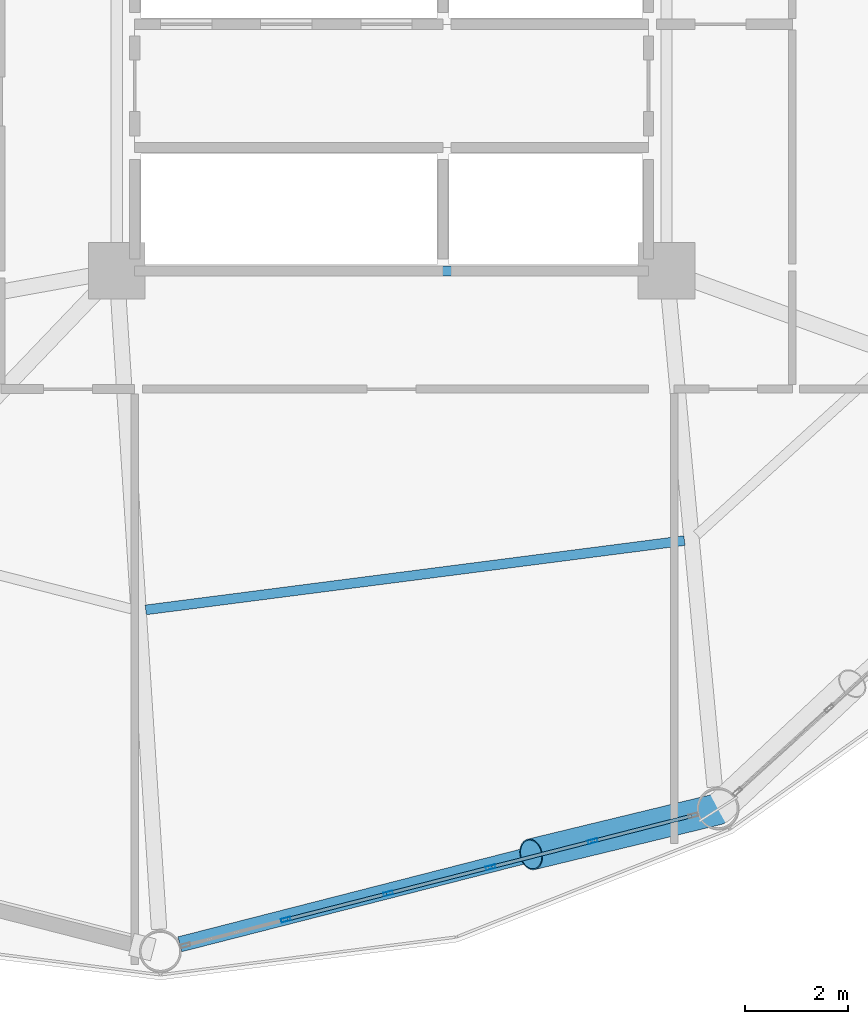
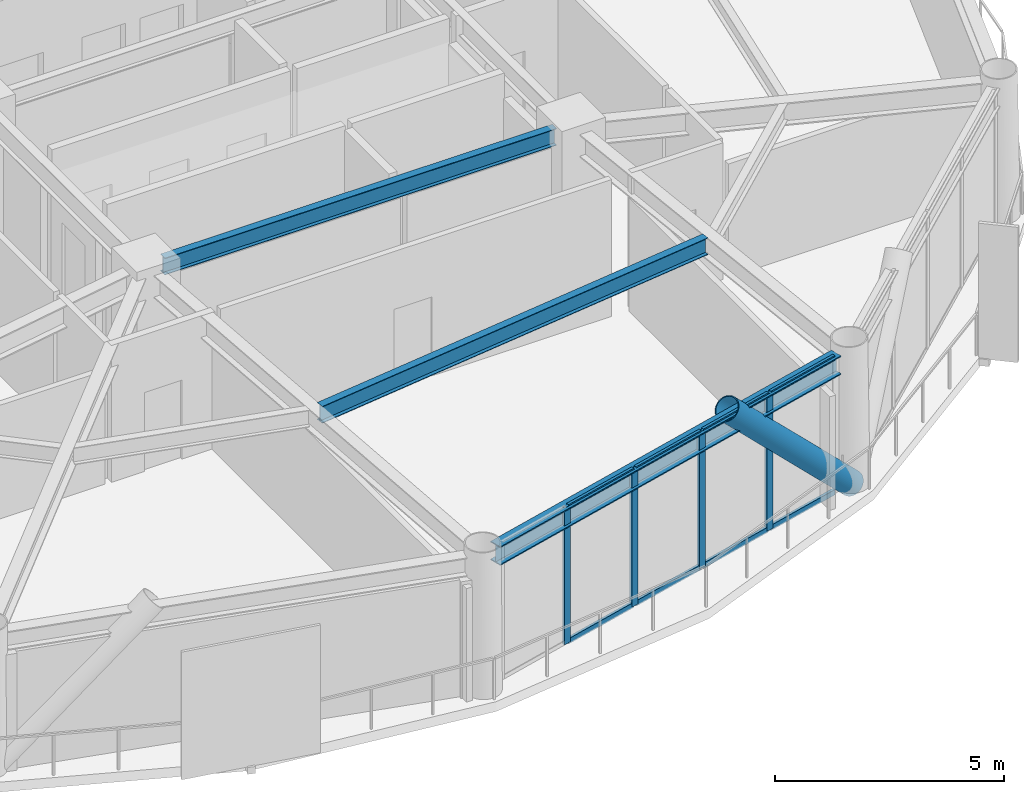
# One storey, part 7 of 26: 13 members, 3 beams, 1 element without a shape of its own.
"""IFC4 building model written with IfcOpenShell, lengths in metres."""

import ifcopenshell
import ifcopenshell.guid

model = None  # the IFC model being written
_history = None  # IfcOwnerHistory: only IFC2X3 demands one
_inside = {}  # id of a spatial element -> (the spatial element, [elements in it])
_under = {}  # id of a project, library or spatial element -> (it, [spatial elements below it])
_declared = {}  # id of a project -> (the project, [libraries it declares])
_typed = {}  # id of a type object -> (the type object, [elements of that type])
_made_of = {}  # id of a material, layer set ... -> (it, [elements and type objects made of it])


def new_model(schema):
    """Start an empty IFC model of exactly this schema.

    Asked for "IFC4X3", IfcOpenShell would pick the latest addendum, in which some entities
    have other attributes; the version numbers below select the first issue.
    IFC2X3 requires an IfcOwnerHistory on every rooted entity: one is made here for all.
    """
    global model, _history
    if schema == "IFC4X3":
        model = ifcopenshell.file(schema_version=(4, 3, 0, 0))
    else:
        model = ifcopenshell.file(schema=schema)
    _inside.clear()
    _under.clear()
    _declared.clear()
    _typed.clear()
    _made_of.clear()
    _history = None
    if model.schema == "IFC2X3":
        org = make("IfcOrganization", Name="unknown")
        user = make(
            "IfcPersonAndOrganization",
            ThePerson=make("IfcPerson", FamilyName="unknown"),
            TheOrganization=org,
        )
        app = make(
            "IfcApplication",
            ApplicationDeveloper=org,
            Version="unknown",
            ApplicationFullName="unknown",
            ApplicationIdentifier="unknown",
        )
        _history = make(
            "IfcOwnerHistory",
            OwningUser=user,
            OwningApplication=app,
            ChangeAction="ADDED",
            CreationDate=0,
        )
    return model


def make(cls, **values):
    """One entity of the class cls with the attributes given. An attribute that is None is left unset."""
    return model.create_entity(
        cls, **{name: value for name, value in values.items() if value is not None}
    )


def rooted(cls, **values):
    """An entity with a GlobalId (a new one), such as an element, a storey or a relation."""
    return make(cls, GlobalId=ifcopenshell.guid.new(), OwnerHistory=_history, **values)


def si_unit(unit_type, name, prefix=None):
    """IfcSIUnit, for example si_unit("LENGTHUNIT", "METRE", prefix="MILLI")."""
    return make("IfcSIUnit", UnitType=unit_type, Prefix=prefix, Name=name)


def assignment(units):
    """IfcUnitAssignment: the units of a project."""
    return None if units is None else make("IfcUnitAssignment", Units=units)


def point(xyz):
    """IfcCartesianPoint."""
    return None if xyz is None else make("IfcCartesianPoint", Coordinates=xyz)


def direction(xyz):
    """IfcDirection."""
    return None if xyz is None else make("IfcDirection", DirectionRatios=xyz)


def frame(location, z_axis=None, x_axis=None):
    """IfcAxis2Placement3D, a coordinate frame: its origin and axes. An axis left out is left unset."""
    return make(
        "IfcAxis2Placement3D",
        Location=point(location),
        Axis=direction(z_axis),
        RefDirection=direction(x_axis),
    )


def frame_2d(location, x_axis=None):
    """IfcAxis2Placement2D, a coordinate frame in the plane: its origin and x axis."""
    return make(
        "IfcAxis2Placement2D", Location=point(location), RefDirection=direction(x_axis)
    )


def origin():
    """The frame at (0, 0, 0) with its axes left unset."""
    return frame((0.0, 0.0, 0.0))


def origin_2d():
    """The frame at (0, 0) in the plane with its x axis left unset."""
    return frame_2d((0.0, 0.0))


def place(relative_to, where):
    """IfcLocalPlacement: puts the frame where relative to a parent placement (None: the world)."""
    return make(
        "IfcLocalPlacement", PlacementRelTo=relative_to, RelativePlacement=where
    )


def context(
    kind, dimensions, precision=None, world=None, true_north=None, identifier=None
):
    """IfcGeometricRepresentationContext, for example the 3D "Model" context."""
    return make(
        "IfcGeometricRepresentationContext",
        ContextIdentifier=identifier,
        ContextType=kind,
        CoordinateSpaceDimension=dimensions,
        Precision=precision,
        WorldCoordinateSystem=world,
        TrueNorth=true_north,
    )


def subcontext(parent, identifier, kind, view, scale=None):
    """IfcGeometricRepresentationSubContext, for example "Body" below "Model"."""
    return make(
        "IfcGeometricRepresentationSubContext",
        ContextIdentifier=identifier,
        ContextType=kind,
        ParentContext=parent,
        TargetScale=scale,
        TargetView=view,
    )


def project(units=None, contexts=None):
    """IfcProject with its units and contexts."""
    return rooted(
        "IfcProject",
        Name="project",
        RepresentationContexts=contexts,
        UnitsInContext=assignment(units),
    )


def spatial(cls, under=None, at=None, **own):
    """A site, building, storey or space (cls), placed at a placement, below another one or the project."""
    s = rooted(cls, ObjectPlacement=at, **own)
    if under is not None:
        _under.setdefault(under.id(), (under, []))[1].append(s)
    return s


def profile(cls, at=None, kind="AREA", **sizes):
    """A parametric profile (cls). Its sizes go by their IFC names, for example OverallWidth=200.0."""
    return make(cls, ProfileType=kind, Position=at, **sizes)


def hollow_rectangle(**sizes):
    """IfcRectangleHollowProfileDef."""
    return profile("IfcRectangleHollowProfileDef", **sizes)


def hollow_circle(**sizes):
    """IfcCircleHollowProfileDef."""
    return profile("IfcCircleHollowProfileDef", **sizes)


def i_section(**sizes):
    """IfcIShapeProfileDef."""
    return profile("IfcIShapeProfileDef", **sizes)


def extrude(swept, where, along, depth):
    """IfcExtrudedAreaSolid: the profile swept, set in the frame where, extruded along a direction by depth."""
    return make(
        "IfcExtrudedAreaSolid",
        SweptArea=swept,
        Position=where,
        ExtrudedDirection=direction(along),
        Depth=depth,
    )


def shape(context_of_items, identifier, shape_type, items):
    """IfcShapeRepresentation: the items that make up one representation, for example the "Body"."""
    return make(
        "IfcShapeRepresentation",
        ContextOfItems=context_of_items,
        RepresentationIdentifier=identifier,
        RepresentationType=shape_type,
        Items=items,
    )


def material(Name=None, Category=None):
    """IfcMaterial."""
    return make("IfcMaterial", Name=Name, Category=Category)


def layer(
    of_material, thickness, ventilated=None, Name=None, Category=None, Priority=None
):
    """IfcMaterialLayer: one layer of a wall or slab, of a material (None: an air gap)."""
    return make(
        "IfcMaterialLayer",
        Material=of_material,
        LayerThickness=thickness,
        IsVentilated=ventilated,
        Name=Name,
        Category=Category,
        Priority=Priority,
    )


def layer_set(layers, Name=None):
    """IfcMaterialLayerSet."""
    return make("IfcMaterialLayerSet", MaterialLayers=layers, LayerSetName=Name)


def material_profile(
    of_material, cross_section, Name=None, Category=None, Priority=None
):
    """IfcMaterialProfile: a cross section and its material."""
    return make(
        "IfcMaterialProfile",
        Name=Name,
        Material=of_material,
        Profile=cross_section,
        Priority=Priority,
        Category=Category,
    )


def profile_set(profiles, Name=None, composite=None):
    """IfcMaterialProfileSet."""
    return make(
        "IfcMaterialProfileSet",
        Name=Name,
        MaterialProfiles=profiles,
        CompositeProfile=composite,
    )


def made_of(thing, what):
    """Note that an element or type object is made of a material, layer set ...; save() writes the relation."""
    if what is not None:
        _made_of.setdefault(what.id(), (what, []))[1].append(thing)
    return thing


def type_object(cls, material=None, **own):
    """A type object (cls), such as IfcWallType, which elements share."""
    return made_of(rooted(cls, **own), material)


def element(
    cls,
    number,
    at=None,
    inside=None,
    cuts=None,
    type_object=None,
    material=None,
    context=None,
    identifier="Body",
    shape_type=None,
    held_by="IfcProductDefinitionShape",
    body=None,
    shapes=None,
    **own,
):
    """One element of the class cls, such as IfcWall. Its Tag is "e" and its number.

    at: its placement. inside: the storey or other place that contains it. cuts: it is an
    opening in that element (IfcRelVoidsElement). A single representation is given by context,
    identifier, shape_type and body (its items); several are given by shapes. held_by: the class
    of the entity that holds the representations. save() writes the other relations.
    """
    e = rooted(cls, Tag="e%d" % number, ObjectPlacement=at, **own)
    if body is not None:
        shapes = [shape(context, identifier, shape_type, body)]
    if shapes is not None:
        e.Representation = make(held_by, Representations=shapes)
    if inside is not None:
        _inside.setdefault(inside.id(), (inside, []))[1].append(e)
    if cuts is not None:
        rooted(
            "IfcRelVoidsElement", RelatingBuildingElement=cuts, RelatedOpeningElement=e
        )
    if type_object is not None:
        _typed.setdefault(type_object.id(), (type_object, []))[1].append(e)
    return made_of(e, material)


def aggregate(whole, parts):
    """IfcRelAggregates: a whole, such as a stair, and the parts it consists of."""
    return rooted("IfcRelAggregates", RelatingObject=whole, RelatedObjects=parts)


def save(model, path):
    """Write the relations noted so far, then the file.

    IfcRelAggregates (storeys below a building ...), IfcRelContainedInSpatialStructure (elements
    in a storey), IfcRelDefinesByType, IfcRelAssociatesMaterial and IfcRelDeclares: one each for
    every whole, place, type object, material and project.
    """
    for whole, parts in _under.values():
        aggregate(whole, parts)
    for where, things in _inside.values():
        rooted(
            "IfcRelContainedInSpatialStructure",
            RelatedElements=things,
            RelatingStructure=where,
        )
    for kind, things in _typed.values():
        rooted("IfcRelDefinesByType", RelatedObjects=things, RelatingType=kind)
    for what, things in _made_of.values():
        rooted("IfcRelAssociatesMaterial", RelatedObjects=things, RelatingMaterial=what)
    for by, libraries in _declared.values():
        rooted("IfcRelDeclares", RelatingContext=by, RelatedDefinitions=libraries)
    model.write(path)


model = new_model("IFC4")

# Units and contexts
model_context = context("Model", 3, precision=1e-05, world=origin(), true_north=direction((0.0, 1.0)))
body_context = subcontext(model_context, "Body", "Model", "MODEL_VIEW")
ifc_project = project(units=[si_unit("LENGTHUNIT", "METRE"), si_unit("AREAUNIT", "SQUARE_METRE"), si_unit("VOLUMEUNIT", "CUBIC_METRE"), si_unit("PLANEANGLEUNIT", "RADIAN"), si_unit("MASSUNIT", "GRAM", prefix="KILO")], contexts=[model_context])

# Site, building, storey
site_placement = place(None, origin())
site = spatial("IfcSite", under=ifc_project, at=site_placement, CompositionType="ELEMENT")
building_placement = place(site_placement, origin())
building = spatial("IfcBuilding", under=site, at=building_placement, Name="Varnakorn Sky Granary", CompositionType="ELEMENT")
storey_placement = place(building_placement, frame((0.0, 0.0, 87.60009765625)))
storey = spatial("IfcBuildingStorey", under=building, at=storey_placement, Name="L21", CompositionType="ELEMENT", Elevation=87.60009765625)

# Beams
ifc_material_1 = material(Name="Steel S355JR", Category="steel")
ifc_material_profile_1 = material_profile(ifc_material_1, i_section(OverallWidth=0.18994140625, OverallDepth=0.449951171875, WebThickness=0.009521484375, FlangeThickness=0.0146484375, at=origin_2d()), Name="IPE 450")
ifc_profile_set_1 = profile_set([ifc_material_profile_1], Name="Steel S355JR")
beam_type_1 = type_object("IfcBeamType", Name="BM-SEC-Z2", PredefinedType="BEAM", material=ifc_profile_set_1)
beam_1_placement = place(storey_placement, frame((-1.78515625, -13.197265625, 3.414794921875), z_axis=(0.991822625119, 0.127623980124, 0.0), x_axis=(-0.127623980124, 0.991822625119, 0.0)))
element("IfcBeam", 1, at=beam_1_placement, inside=storey, type_object=beam_type_1, Name="Secondary Floor Chord Beam MSB10 L21", PredefinedType="BEAM", context=body_context, shape_type="SweptSolid", body=[
    extrude(i_section(OverallWidth=0.18994140625, OverallDepth=0.449951171875, WebThickness=0.009521484375, FlangeThickness=0.0146484375, at=origin_2d()), origin(), (0.0, 0.0, 1.0), 10.571044921875),
])
beam_2_placement = place(storey_placement, frame((-1.929931640625, -6.60009765625, 3.414794921875), z_axis=(1.0, 0.0, 0.0), x_axis=(0.0, 1.0, 0.0)))
element("IfcBeam", 2, at=beam_2_placement, inside=storey, type_object=beam_type_1, Name="Core Spine Framing Beam 6 L21", PredefinedType="BEAM", context=body_context, shape_type="SweptSolid", body=[
    extrude(i_section(OverallWidth=0.18994140625, OverallDepth=0.449951171875, WebThickness=0.009521484375, FlangeThickness=0.0146484375, at=origin_2d()), origin(), (0.0, 0.0, 1.0), 9.85986328125),
])
ifc_material_profile_2 = material_profile(ifc_material_1, i_section(OverallWidth=0.300048828125, OverallDepth=0.5, WebThickness=0.014404296875, FlangeThickness=0.028076171875, at=origin_2d()), Name="HE 500 B")
ifc_profile_set_2 = profile_set([ifc_material_profile_2], Name="Steel S355JR")
beam_type_2 = type_object("IfcBeamType", Name="BM-SPD-Z2", PredefinedType="SPANDREL", material=ifc_profile_set_2)
beam_3_placement = place(storey_placement, frame((-1.12060546875, -19.704833984375, 3.389892578125), z_axis=(0.968782625978, 0.247911725424, 0.0), x_axis=(-0.247911725424, 0.968782625978, 0.0)))
element("IfcBeam", 3, at=beam_3_placement, inside=storey, type_object=beam_type_2, Name="Perimeter Spandrel Ring Beam RB10 L21", PredefinedType="SPANDREL", context=body_context, shape_type="SweptSolid", body=[
    extrude(i_section(OverallWidth=0.300048828125, OverallDepth=0.5, WebThickness=0.014404296875, FlangeThickness=0.028076171875, at=origin_2d()), origin(), (0.0, 0.0, 1.0), 10.389404296875),
])

# Curtain wall, members
ifc_material_2 = material(Name="Anodised Bronze Aluminium Alloy 6063-T6", Category="aluminium")
ifc_layer = layer(ifc_material_2, 0.18994140625, Name="Anodised Bronze Aluminium Alloy 6063-T6")
ifc_layer_set = layer_set([ifc_layer], Name="Anodised Bronze Aluminium Alloy 6063-T6")
curtain_wall_type = type_object("IfcCurtainWallType", Name="CW-FRM-1", PredefinedType="USERDEFINED", material=ifc_layer_set)
curtain_wall_placement = place(storey_placement, origin())
curtain_wall = element("IfcCurtainWall", 4, at=curtain_wall_placement, inside=storey, type_object=curtain_wall_type, Name="Unitised Curtain Wall CW3 CW-L21-B10", ObjectType="CURTAIN WALL", PredefinedType="USERDEFINED")
ifc_material_profile_3 = material_profile(ifc_material_2, hollow_rectangle(XDim=0.070068359375, YDim=0.18505859375, WallThickness=0.00390625, at=origin_2d()), Name="ALU MULL 70x185")
ifc_profile_set_3 = profile_set([ifc_material_profile_3], Name="Anodised Bronze Aluminium Alloy 6063-T6")
member_type_1 = type_object("IfcMemberType", Name="CW-FRM-1-MULL", PredefinedType="MULLION", material=ifc_profile_set_3)
member_1_placement = place(storey_placement, frame((6.914794921875, -17.6982421875, 0.0), z_axis=(0.0, 0.0, 1.0), x_axis=(0.247728719051, -0.96882943894, 0.0)))
member_1 = element("IfcMember", 5, at=member_1_placement, type_object=member_type_1, Name="CW3 mullion 2", PredefinedType="MULLION", context=body_context, shape_type="SweptSolid", body=[
    extrude(hollow_rectangle(XDim=0.070068359375, YDim=0.18505859375, WallThickness=0.00390625, at=origin_2d()), origin(), (0.0, 0.0, 1.0), 3.639892578125),
])
member_2_placement = place(storey_placement, frame((4.924072265625, -18.207275390625, 0.0), z_axis=(0.0, 0.0, 1.0), x_axis=(0.247728719051, -0.96882943894, 0.0)))
member_2 = element("IfcMember", 6, at=member_2_placement, type_object=member_type_1, Name="CW3 mullion 3", PredefinedType="MULLION", context=body_context, shape_type="SweptSolid", body=[
    extrude(hollow_rectangle(XDim=0.070068359375, YDim=0.18505859375, WallThickness=0.00390625, at=origin_2d()), origin(), (0.0, 0.0, 1.0), 3.639892578125),
])
member_3_placement = place(storey_placement, frame((2.933349609375, -18.71630859375, 0.0), z_axis=(0.0, 0.0, 1.0), x_axis=(0.247728719051, -0.96882943894, 0.0)))
member_3 = element("IfcMember", 7, at=member_3_placement, type_object=member_type_1, Name="CW3 mullion 4", PredefinedType="MULLION", context=body_context, shape_type="SweptSolid", body=[
    extrude(hollow_rectangle(XDim=0.070068359375, YDim=0.18505859375, WallThickness=0.00390625, at=origin_2d()), origin(), (0.0, 0.0, 1.0), 3.639892578125),
])
member_4_placement = place(storey_placement, frame((0.942626953125, -19.225341796875, 0.0), z_axis=(0.0, 0.0, 1.0), x_axis=(0.247728719051, -0.96882943894, 0.0)))
member_4 = element("IfcMember", 8, at=member_4_placement, type_object=member_type_1, Name="CW3 mullion 5", PredefinedType="MULLION", context=body_context, shape_type="SweptSolid", body=[
    extrude(hollow_rectangle(XDim=0.070068359375, YDim=0.18505859375, WallThickness=0.00390625, at=origin_2d()), origin(), (0.0, 0.0, 1.0), 3.639892578125),
])
ifc_material_profile_4 = material_profile(ifc_material_2, hollow_rectangle(XDim=0.070068359375, YDim=0.139892578125, WallThickness=0.00341796875, at=origin_2d()), Name="ALU TRAN 70x140")
ifc_profile_set_4 = profile_set([ifc_material_profile_4], Name="Anodised Bronze Aluminium Alloy 6063-T6")
member_type_2 = type_object("IfcMemberType", Name="CW-FRM-1-TRAN", PredefinedType="USERDEFINED", material=ifc_profile_set_4)
member_5_placement = place(storey_placement, frame((8.837646484375, -17.20654296875, 0.034912109375), z_axis=(-0.968809695946, -0.247805918092, 0.0), x_axis=(0.247805918092, -0.968809695946, 0.0)))
member_5 = element("IfcMember", 9, at=member_5_placement, type_object=member_type_2, Name="CW3 transom 1.1", ObjectType="TRANSOM", PredefinedType="USERDEFINED", context=body_context, shape_type="SweptSolid", body=[
    extrude(hollow_rectangle(XDim=0.070068359375, YDim=0.139892578125, WallThickness=0.00341796875, at=origin_2d()), origin(), (0.0, 0.0, 1.0), 1.94970703125),
])
member_6_placement = place(storey_placement, frame((8.837646484375, -17.20654296875, 3.60498046875), z_axis=(-0.968809695946, -0.247805918092, 0.0), x_axis=(0.247805918092, -0.968809695946, 0.0)))
member_6 = element("IfcMember", 10, at=member_6_placement, type_object=member_type_2, Name="CW3 transom 1.2", ObjectType="TRANSOM", PredefinedType="USERDEFINED", context=body_context, shape_type="SweptSolid", body=[
    extrude(hollow_rectangle(XDim=0.070068359375, YDim=0.139892578125, WallThickness=0.00341796875, at=origin_2d()), origin(), (0.0, 0.0, 1.0), 1.94970703125),
])
member_7_placement = place(storey_placement, frame((6.880859375, -17.70703125, 0.034912109375), z_axis=(-0.968826053327, -0.247741959294, 0.0), x_axis=(0.247741959294, -0.968826053327, 0.0)))
member_7 = element("IfcMember", 11, at=member_7_placement, type_object=member_type_2, Name="CW3 transom 2.1", ObjectType="TRANSOM", PredefinedType="USERDEFINED", context=body_context, shape_type="SweptSolid", body=[
    extrude(hollow_rectangle(XDim=0.070068359375, YDim=0.139892578125, WallThickness=0.00341796875, at=origin_2d()), origin(), (0.0, 0.0, 1.0), 1.984619140625),
])
member_8_placement = place(storey_placement, frame((6.880859375, -17.70703125, 3.60498046875), z_axis=(-0.968826053327, -0.247741959294, 0.0), x_axis=(0.247741959294, -0.968826053327, 0.0)))
member_8 = element("IfcMember", 12, at=member_8_placement, type_object=member_type_2, Name="CW3 transom 2.2", ObjectType="TRANSOM", PredefinedType="USERDEFINED", context=body_context, shape_type="SweptSolid", body=[
    extrude(hollow_rectangle(XDim=0.070068359375, YDim=0.139892578125, WallThickness=0.00341796875, at=origin_2d()), origin(), (0.0, 0.0, 1.0), 1.984619140625),
])
member_9_placement = place(storey_placement, frame((4.89013671875, -18.216064453125, 0.034912109375), z_axis=(-0.968826053327, -0.247741959294, 0.0), x_axis=(0.247741959294, -0.968826053327, 0.0)))
member_9 = element("IfcMember", 13, at=member_9_placement, type_object=member_type_2, Name="CW3 transom 3.1", ObjectType="TRANSOM", PredefinedType="USERDEFINED", context=body_context, shape_type="SweptSolid", body=[
    extrude(hollow_rectangle(XDim=0.070068359375, YDim=0.139892578125, WallThickness=0.00341796875, at=origin_2d()), origin(), (0.0, 0.0, 1.0), 1.984619140625),
])
member_10_placement = place(storey_placement, frame((4.89013671875, -18.216064453125, 3.60498046875), z_axis=(-0.968826053327, -0.247741959294, 0.0), x_axis=(0.247741959294, -0.968826053327, 0.0)))
member_10 = element("IfcMember", 14, at=member_10_placement, type_object=member_type_2, Name="CW3 transom 3.2", ObjectType="TRANSOM", PredefinedType="USERDEFINED", context=body_context, shape_type="SweptSolid", body=[
    extrude(hollow_rectangle(XDim=0.070068359375, YDim=0.139892578125, WallThickness=0.00341796875, at=origin_2d()), origin(), (0.0, 0.0, 1.0), 1.984619140625),
])
member_11_placement = place(storey_placement, frame((2.8994140625, -18.72509765625, 0.034912109375), z_axis=(-0.968826053327, -0.247741959294, 0.0), x_axis=(0.247741959294, -0.968826053327, 0.0)))
member_11 = element("IfcMember", 15, at=member_11_placement, type_object=member_type_2, Name="CW3 transom 4.1", ObjectType="TRANSOM", PredefinedType="USERDEFINED", context=body_context, shape_type="SweptSolid", body=[
    extrude(hollow_rectangle(XDim=0.070068359375, YDim=0.139892578125, WallThickness=0.00341796875, at=origin_2d()), origin(), (0.0, 0.0, 1.0), 1.984619140625),
])
member_12_placement = place(storey_placement, frame((2.8994140625, -18.72509765625, 3.60498046875), z_axis=(-0.968826053327, -0.247741959294, 0.0), x_axis=(0.247741959294, -0.968826053327, 0.0)))
member_12 = element("IfcMember", 16, at=member_12_placement, type_object=member_type_2, Name="CW3 transom 4.2", ObjectType="TRANSOM", PredefinedType="USERDEFINED", context=body_context, shape_type="SweptSolid", body=[
    extrude(hollow_rectangle(XDim=0.070068359375, YDim=0.139892578125, WallThickness=0.00341796875, at=origin_2d()), origin(), (0.0, 0.0, 1.0), 1.984619140625),
])
aggregate(curtain_wall, [member_1, member_2, member_3, member_4, member_5, member_6, member_7, member_8, member_9, member_10, member_11, member_12])

# Member
ifc_material_3 = material(Name="Steel S460M", Category="steel")
ifc_material_profile_5 = material_profile(ifc_material_3, hollow_circle(Radius=0.304931640625, WallThickness=0.022216796875, at=origin_2d()), Name="CHS 610x22")
ifc_profile_set_5 = profile_set([ifc_material_profile_5], Name="Steel S460M")
member_type_3 = type_object("IfcMemberType", Name="MB-DIAG-T1", PredefinedType="BRACE", material=ifc_profile_set_5)
member_13_placement = place(storey_placement, frame((9.357421875, -17.07373046875, 0.0), z_axis=(-0.683297765195, -0.165429985258, 0.711151941611), x_axis=(0.235307200809, -0.971921046818, 0.0)))
element("IfcMember", 17, at=member_13_placement, inside=storey, type_object=member_type_3, Name="Perimeter CHS Diagrid Brace DG10 L21", PredefinedType="BRACE", context=body_context, shape_type="SweptSolid", body=[
    extrude(hollow_circle(Radius=0.304931640625, WallThickness=0.022216796875, at=origin_2d()), origin(), (0.0, 0.0, 1.0), 5.3291015625),
])

save(model, "model.ifc")
